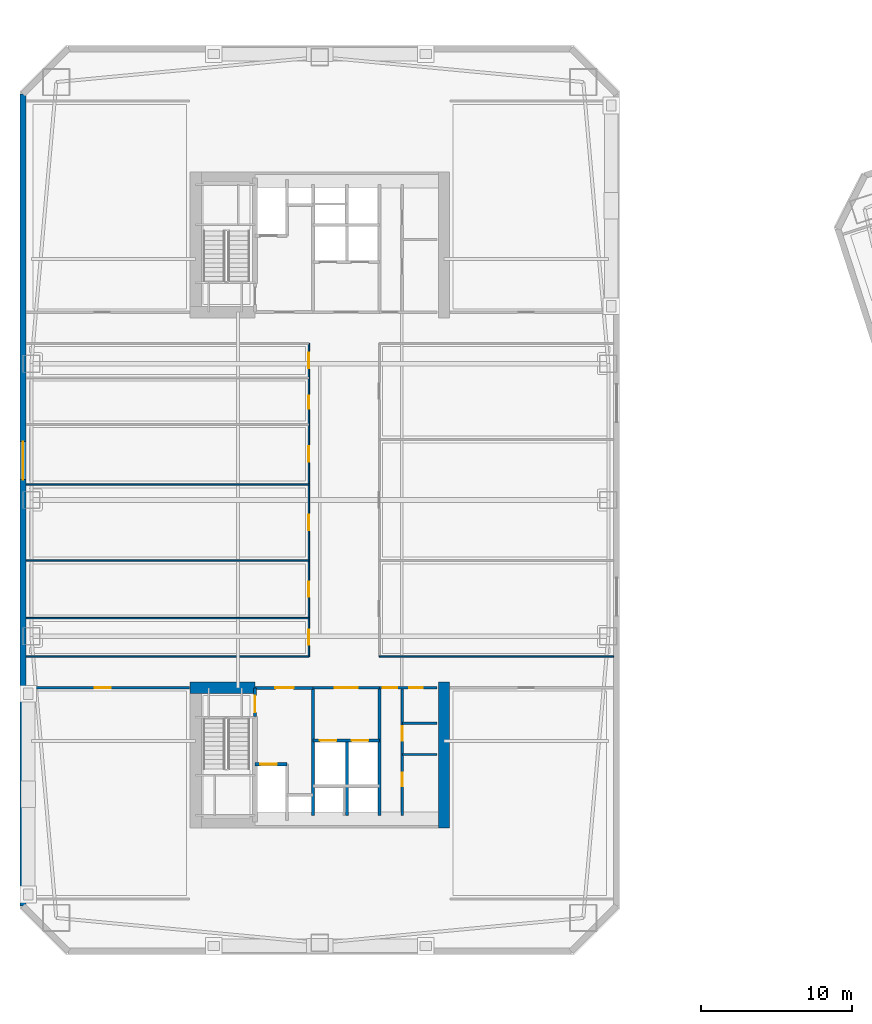
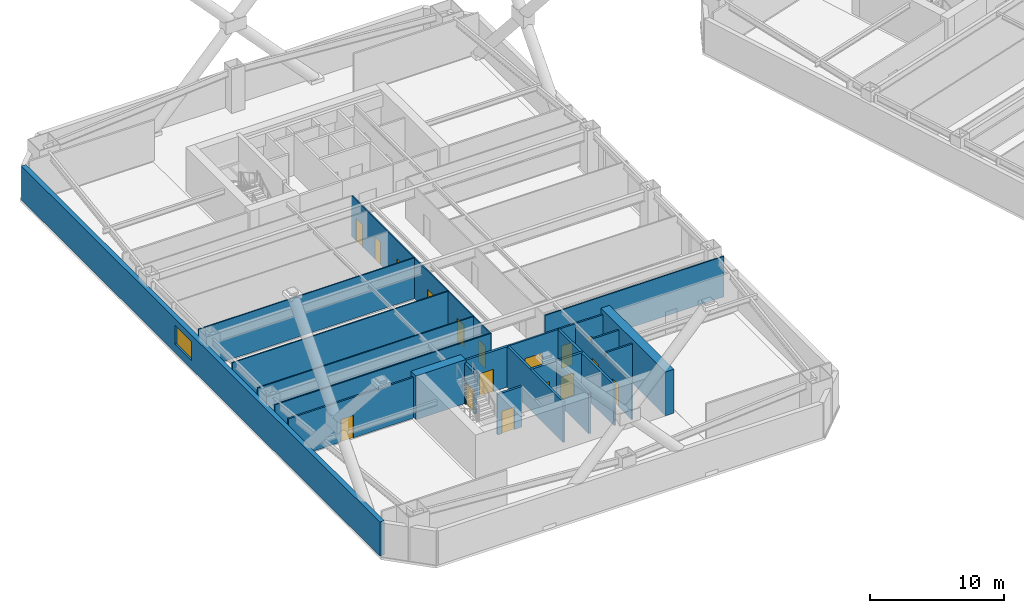
# One storey, part 4 of 18: 22 walls, 17 doors, 1 window, 18 openings.
"""IFC4 building model written with IfcOpenShell, lengths in metres."""

from ifc_helpers import new_model, si_unit, direction, frame, frame_2d, origin, place, context, subcontext, project, spatial, rectangle, extrude, material, layer, layer_set, type_object, element, fill, save


model = new_model("IFC4")

# Units and contexts
model_context = context("Model", 3, precision=1e-05, world=origin(), true_north=direction((0.0, 1.0)))
body_context = subcontext(model_context, "Body", "Model", "MODEL_VIEW")
ifc_project = project(units=[si_unit("LENGTHUNIT", "METRE"), si_unit("AREAUNIT", "SQUARE_METRE"), si_unit("VOLUMEUNIT", "CUBIC_METRE"), si_unit("PLANEANGLEUNIT", "RADIAN"), si_unit("MASSUNIT", "GRAM", prefix="KILO")], contexts=[model_context])

# Site, building, storey
site_placement = place(None, origin())
site = spatial("IfcSite", under=ifc_project, at=site_placement, CompositionType="ELEMENT")
building_placement = place(site_placement, origin())
building = spatial("IfcBuilding", under=site, at=building_placement, Name="Qiaolan Cultural Towers", CompositionType="ELEMENT")
storey_placement = place(building_placement, frame((0.0, 0.0, 42.0)))
storey = spatial("IfcBuildingStorey", under=building, at=storey_placement, Name="L09", CompositionType="ELEMENT", Elevation=42.0)

# Walls
ifc_material_1 = material(Name="Concrete C60", Category="concrete")
ifc_layer_1 = layer(ifc_material_1, 0.75)
ifc_layer_set_1 = layer_set([ifc_layer_1], Name="Concrete C60")
wall_type_1 = type_object("IfcWallType", Name="WL-CORE-750", PredefinedType="SHEAR", material=ifc_layer_set_1)
wall_1_placement = place(storey_placement, frame((38.199951171875, 21.97509765625, 0.0), z_axis=(0.0, 0.0, 1.0), x_axis=(0.0, -1.0, 0.0)))
element("IfcWall", 1, at=wall_1_placement, inside=storey, type_object=wall_type_1, Name="L09 T1-CS East Core Shear Wall", PredefinedType="SHEAR", context=body_context, shape_type="SweptSolid", body=[
    extrude(rectangle(XDim=9.630126953125, YDim=0.75, at=frame_2d((4.81494140625, 0.0))), origin(), (0.0, 0.0, 1.0), 4.0),
])
wall_2_placement = place(storey_placement, frame((21.425048828125, 21.60009765625, 0.0), z_axis=(0.0, 0.0, 1.0), x_axis=(1.0, 0.0, 0.0)))
element("IfcWall", 2, at=wall_2_placement, inside=storey, type_object=wall_type_1, Name="L09 T1-CS Stair Front Shear Wall", PredefinedType="SHEAR", context=body_context, shape_type="SweptSolid", body=[
    extrude(rectangle(XDim=4.294921875, YDim=0.75, at=frame_2d((2.1474609375, 0.0))), origin(), (0.0, 0.0, 1.0), 4.0),
])

# Wall, opening, window
ifc_material_2 = material(Name="Precast Concrete C50 Honed Stone Pier", Category="masonry")
ifc_layer_2 = layer(ifc_material_2, 0.39990234375)
ifc_layer_set_2 = layer_set([ifc_layer_2], Name="Precast Concrete C50 Honed Stone Pier")
wall_type_2 = type_object("IfcWallType", Name="WL-EXT-PIER-400", PredefinedType="SOLIDWALL", material=ifc_layer_set_2)
wall_3_placement = place(storey_placement, frame((10.39990234375, 7.199951171875, 0.0), z_axis=(0.0, 0.0, 1.0), x_axis=(0.0, 1.0, 0.0)))
wall_3 = element("IfcWall", 3, at=wall_3_placement, inside=storey, type_object=wall_type_2, Name="L09 West Tower Precast Pier Facade Wall F1", PredefinedType="SOLIDWALL", context=body_context, shape_type="SweptSolid", body=[
    extrude(rectangle(XDim=53.60009765625, YDim=0.39990234375, at=frame_2d((26.800048828125, 0.0))), origin(), (0.0, 0.0, 1.0), 3.10009765625),
])
opening_1_placement = place(wall_3_placement, frame((28.14990234375, 0.0, 0.75)))
opening_1 = element("IfcOpeningElement", 4, at=opening_1_placement, cuts=wall_3, Name="Opening W-01", PredefinedType="OPENING", context=body_context, shape_type="SweptSolid", body=[
    extrude(rectangle(XDim=2.5, YDim=1.75, at=frame_2d((1.25, 0.875))), frame((0.0, 0.2099609375, 0.0), z_axis=(0.0, -1.0, 0.0), x_axis=(1.0, 0.0, 0.0)), (0.0, 0.0, 1.0), 0.419921875),
])
ifc_material_3 = material(Name="Thermally Broken Aluminium Triple Low-E Glazing", Category="aluminium")
window_type = type_object("IfcWindowType", Name="WN-CHIC-2500", PartitioningType="SINGLE_PANEL", PredefinedType="WINDOW", material=ifc_material_3)
window_placement = place(opening_1_placement, origin())
window = element("IfcWindow", 5, at=window_placement, inside=storey, type_object=window_type, Name="L09 T1 W Chicago Bay Window 1", OverallHeight=1.75, OverallWidth=2.5, PartitioningType="TRIPLE_PANEL_VERTICAL", PredefinedType="WINDOW", context=body_context, shape_type="SweptSolid", body=[
    extrude(rectangle(XDim=2.5, YDim=1.75, at=frame_2d((1.25, 0.875))), frame((0.0, 0.030029296875, 0.0), z_axis=(0.0, -1.0, 0.0), x_axis=(1.0, 0.0, 0.0)), (0.0, 0.0, 1.0), 0.06005859375),
])
fill(opening_1, window)

# Wall, opening, door
ifc_material_4 = material(Name="Concrete C35 Fire Wall", Category="concrete")
ifc_layer_3 = layer(ifc_material_4, 0.199951171875)
ifc_layer_set_3 = layer_set([ifc_layer_3], Name="Concrete C35 Fire Wall")
wall_type_3 = type_object("IfcWallType", Name="WL-FIRE-200", PredefinedType="PARTITIONING", material=ifc_layer_set_3)
wall_4_placement = place(storey_placement, frame((25.719970703125, 21.60009765625, 0.0), z_axis=(0.0, 0.0, 1.0), x_axis=(0.0, -1.0, 0.0)))
wall_4 = element("IfcWall", 6, at=wall_4_placement, inside=storey, type_object=wall_type_3, Name="L09 T1-CS Smokeproof Stair Entry Wall", PredefinedType="PARTITIONING", context=body_context, shape_type="SweptSolid", body=[
    extrude(rectangle(XDim=1.900146484375, YDim=0.199951171875, at=frame_2d((0.9501953125, 0.0))), origin(), (0.0, 0.0, 1.0), 3.705078125),
])
opening_2_placement = place(wall_4_placement, frame((0.52001953125, 0.0, 0.0)))
opening_2 = element("IfcOpeningElement", 7, at=opening_2_placement, cuts=wall_4, Name="Opening FD-04", PredefinedType="OPENING", context=body_context, shape_type="SweptSolid", body=[
    extrude(rectangle(XDim=1.10009765625, YDim=2.050048828125, at=frame_2d((0.550048828125, 1.02490234375))), frame((0.0, 0.10986328125, 0.0), z_axis=(0.0, -1.0, 0.0), x_axis=(1.0, 0.0, 0.0)), (0.0, 0.0, 1.0), 0.219970703125),
])
ifc_material_5 = material(Name="Galvanized Steel Command Fire Door", Category="steel")
door_type_1 = type_object("IfcDoorType", Name="DR-FD90-1100", OperationType="NOTDEFINED", PredefinedType="DOOR", material=ifc_material_5)
door_1_placement = place(opening_2_placement, origin())
door_1 = element("IfcDoor", 8, at=door_1_placement, inside=storey, type_object=door_type_1, Name="L09 ST-W1 Smokeproof Stair Fire Door", OperationType="SINGLE_SWING_LEFT", OverallHeight=2.050048828125, OverallWidth=1.10009765625, PredefinedType="DOOR", context=body_context, shape_type="SweptSolid", body=[
    extrude(rectangle(XDim=1.10009765625, YDim=2.050048828125, at=frame_2d((0.550048828125, 1.02490234375))), frame((0.0, 0.02490234375, 0.0), z_axis=(0.0, -1.0, 0.0), x_axis=(1.0, 0.0, 0.0)), (0.0, 0.0, 1.0), 0.050048828125),
])
fill(opening_2, door_1)

# Wall
wall_5_placement = place(storey_placement, frame((29.550048828125, 21.60009765625, 0.0), z_axis=(0.0, 0.0, 1.0), x_axis=(0.0, -1.0, 0.0)))
element("IfcWall", 9, at=wall_5_placement, inside=storey, type_object=wall_type_3, Name="L09 T1-CS Firefighting Zone Wall", PredefinedType="PARTITIONING", context=body_context, shape_type="SweptSolid", body=[
    extrude(rectangle(XDim=8.43017578125, YDim=0.199951171875, at=frame_2d((4.215087890625, 0.0))), origin(), (0.0, 0.0, 1.0), 3.705078125),
])

# Wall, opening, door
wall_6_placement = place(storey_placement, frame((25.719970703125, 21.60009765625, 0.0), z_axis=(0.0, 0.0, 1.0), x_axis=(1.0, 0.0, 0.0)))
wall_6 = element("IfcWall", 10, at=wall_6_placement, inside=storey, type_object=wall_type_3, Name="L09 T1-CS Firefighting Lobby Front Wall", PredefinedType="PARTITIONING", context=body_context, shape_type="SweptSolid", body=[
    extrude(rectangle(XDim=3.830078125, YDim=0.199951171875, at=frame_2d((1.9150390625, 0.0))), origin(), (0.0, 0.0, 1.0), 3.705078125),
])
opening_3_placement = place(wall_6_placement, frame((1.35009765625, 0.0, 0.0)))
opening_3 = element("IfcOpeningElement", 11, at=opening_3_placement, cuts=wall_6, Name="Opening FD-03", PredefinedType="OPENING", context=body_context, shape_type="SweptSolid", body=[
    extrude(rectangle(XDim=1.199951171875, YDim=2.050048828125, at=frame_2d((0.60009765625, 1.02490234375))), frame((0.0, 0.10986328125, 0.0), z_axis=(0.0, -1.0, 0.0), x_axis=(1.0, 0.0, 0.0)), (0.0, 0.0, 1.0), 0.219970703125),
])
ifc_material_6 = material(Name="Galvanized Steel Smokeproof Lobby Fire Door", Category="steel")
door_type_2 = type_object("IfcDoorType", Name="DR-FD90-1200", OperationType="NOTDEFINED", PredefinedType="DOOR", material=ifc_material_6)
door_2_placement = place(opening_3_placement, origin())
door_2 = element("IfcDoor", 12, at=door_2_placement, inside=storey, type_object=door_type_2, Name="L09 FFL-W1 Firefighting Lobby Fire Door", OperationType="SINGLE_SWING_LEFT", OverallHeight=2.050048828125, OverallWidth=1.199951171875, PredefinedType="DOOR", context=body_context, shape_type="SweptSolid", body=[
    extrude(rectangle(XDim=1.199951171875, YDim=2.050048828125, at=frame_2d((0.60009765625, 1.02490234375))), frame((0.0, 0.02490234375, 0.0), z_axis=(0.0, -1.0, 0.0), x_axis=(1.0, 0.0, 0.0)), (0.0, 0.0, 1.0), 0.050048828125),
])
fill(opening_3, door_2)

wall_7_placement = place(storey_placement, frame((25.719970703125, 16.550048828125, 0.0), z_axis=(0.0, 0.0, 1.0), x_axis=(1.0, 0.0, 0.0)))
wall_7 = element("IfcWall", 13, at=wall_7_placement, inside=storey, type_object=wall_type_3, Name="L09 T1-CS Firefighting Shaft Front Wall", PredefinedType="PARTITIONING", context=body_context, shape_type="SweptSolid", body=[
    extrude(rectangle(XDim=2.10009765625, YDim=0.199951171875, at=frame_2d((1.050048828125, 0.0))), origin(), (0.0, 0.0, 1.0), 3.705078125),
])
opening_4_placement = place(wall_7_placement, frame((0.35009765625, 0.0, 0.0)))
opening_4 = element("IfcOpeningElement", 14, at=opening_4_placement, cuts=wall_7, Name="Opening LD-01", PredefinedType="OPENING", context=body_context, shape_type="SweptSolid", body=[
    extrude(rectangle(XDim=1.10009765625, YDim=2.050048828125, at=frame_2d((0.550048828125, 1.02490234375))), frame((0.0, 0.10986328125, 0.0), z_axis=(0.0, -1.0, 0.0), x_axis=(1.0, 0.0, 0.0)), (0.0, 0.0, 1.0), 0.219970703125),
])
ifc_material_7 = material(Name="Brushed Stainless Steel S30408 Centre-Parting Lift Landing Door", Category="steel")
door_type_3 = type_object("IfcDoorType", Name="DR-LIFT-1100", OperationType="NOTDEFINED", PredefinedType="DOOR", material=ifc_material_7)
door_3_placement = place(opening_4_placement, origin())
door_3 = element("IfcDoor", 15, at=door_3_placement, inside=storey, type_object=door_type_3, Name="L09 FFL-W1 Firefighting Lift Landing Door", OperationType="DOUBLE_DOOR_SLIDING", OverallHeight=2.050048828125, OverallWidth=1.10009765625, PredefinedType="DOOR", context=body_context, shape_type="SweptSolid", body=[
    extrude(rectangle(XDim=1.10009765625, YDim=2.050048828125, at=frame_2d((0.550048828125, 1.02490234375))), frame((0.0, 0.02490234375, 0.0), z_axis=(0.0, -1.0, 0.0), x_axis=(1.0, 0.0, 0.0)), (0.0, 0.0, 1.0), 0.050048828125),
])
fill(opening_4, door_3)

# Wall
wall_8_placement = place(storey_placement, frame((33.949951171875, 21.60009765625, 0.0), z_axis=(0.0, 0.0, 1.0), x_axis=(0.0, -1.0, 0.0)))
element("IfcWall", 16, at=wall_8_placement, inside=storey, type_object=wall_type_3, Name="L09 T1-CS Lift Core East Wall", PredefinedType="PARTITIONING", context=body_context, shape_type="SweptSolid", body=[
    extrude(rectangle(XDim=8.43017578125, YDim=0.199951171875, at=frame_2d((4.215087890625, 0.0))), origin(), (0.0, 0.0, 1.0), 3.705078125),
])

# Wall, openings, doors
wall_9_placement = place(storey_placement, frame((29.550048828125, 18.1201171875, 0.0), z_axis=(0.0, 0.0, 1.0), x_axis=(1.0, 0.0, 0.0)))
wall_9 = element("IfcWall", 17, at=wall_9_placement, inside=storey, type_object=wall_type_3, Name="L09 T1-CS Passenger Lift Shaft Front Wall", PredefinedType="PARTITIONING", context=body_context, shape_type="SweptSolid", body=[
    extrude(rectangle(XDim=4.39990234375, YDim=0.199951171875, at=frame_2d((2.199951171875, 0.0))), origin(), (0.0, 0.0, 1.0), 3.705078125),
])
opening_5_placement = place(wall_9_placement, frame((0.449951171875, 0.0, 0.0)))
opening_5 = element("IfcOpeningElement", 18, at=opening_5_placement, cuts=wall_9, Name="Opening LD-01", PredefinedType="OPENING", context=body_context, shape_type="SweptSolid", body=[
    extrude(rectangle(XDim=1.10009765625, YDim=2.050048828125, at=frame_2d((0.550048828125, 1.02490234375))), frame((0.0, 0.10986328125, 0.0), z_axis=(0.0, -1.0, 0.0), x_axis=(1.0, 0.0, 0.0)), (0.0, 0.0, 1.0), 0.219970703125),
])
opening_6_placement = place(wall_9_placement, frame((2.550048828125, 0.0, 0.0)))
opening_6 = element("IfcOpeningElement", 19, at=opening_6_placement, cuts=wall_9, Name="Opening LD-01", PredefinedType="OPENING", context=body_context, shape_type="SweptSolid", body=[
    extrude(rectangle(XDim=1.10009765625, YDim=2.050048828125, at=frame_2d((0.550048828125, 1.02490234375))), frame((0.0, 0.10986328125, 0.0), z_axis=(0.0, -1.0, 0.0), x_axis=(1.0, 0.0, 0.0)), (0.0, 0.0, 1.0), 0.219970703125),
])
door_4_placement = place(opening_5_placement, origin())
door_4 = element("IfcDoor", 20, at=door_4_placement, inside=storey, type_object=door_type_3, Name="L09 Passenger Lift 1 Landing Door", OperationType="DOUBLE_DOOR_SLIDING", OverallHeight=2.050048828125, OverallWidth=1.10009765625, PredefinedType="DOOR", context=body_context, shape_type="SweptSolid", body=[
    extrude(rectangle(XDim=1.10009765625, YDim=2.050048828125, at=frame_2d((0.550048828125, 1.02490234375))), frame((0.0, 0.02490234375, 0.0), z_axis=(0.0, -1.0, 0.0), x_axis=(1.0, 0.0, 0.0)), (0.0, 0.0, 1.0), 0.050048828125),
])
fill(opening_5, door_4)
door_5_placement = place(opening_6_placement, origin())
door_5 = element("IfcDoor", 21, at=door_5_placement, inside=storey, type_object=door_type_3, Name="L09 Passenger Lift 2 Landing Door", OperationType="DOUBLE_DOOR_SLIDING", OverallHeight=2.050048828125, OverallWidth=1.10009765625, PredefinedType="DOOR", context=body_context, shape_type="SweptSolid", body=[
    extrude(rectangle(XDim=1.10009765625, YDim=2.050048828125, at=frame_2d((0.550048828125, 1.02490234375))), frame((0.0, 0.02490234375, 0.0), z_axis=(0.0, -1.0, 0.0), x_axis=(1.0, 0.0, 0.0)), (0.0, 0.0, 1.0), 0.050048828125),
])
fill(opening_6, door_5)

# Walls
wall_10_placement = place(storey_placement, frame((31.780029296875, 18.1201171875, 0.0), z_axis=(0.0, 0.0, 1.0), x_axis=(0.0, -1.0, 0.0)))
element("IfcWall", 22, at=wall_10_placement, inside=storey, type_object=wall_type_3, Name="L09 T1-CS Lift Shaft Divider Wall", PredefinedType="PARTITIONING", context=body_context, shape_type="SweptSolid", body=[
    extrude(rectangle(XDim=4.9501953125, YDim=0.199951171875, at=frame_2d((2.47509765625, 0.0))), origin(), (0.0, 0.0, 1.0), 3.705078125),
])
ifc_material_8 = material(Name="Acoustic Double-Glazed Partition Frame", Category="glass")
ifc_layer_4 = layer(ifc_material_8, 0.10009765625)
ifc_layer_set_4 = layer_set([ifc_layer_4], Name="Acoustic Double-Glazed Partition Frame")
wall_type_4 = type_object("IfcWallType", Name="WL-GLAZED-100", PredefinedType="MOVABLE", material=ifc_layer_set_4)
wall_11_placement = place(storey_placement, frame((10.60009765625, 23.64990234375, 0.0), z_axis=(0.0, 0.0, 1.0), x_axis=(1.0, 0.0, 0.0)))
element("IfcWall", 23, at=wall_11_placement, inside=storey, type_object=wall_type_4, Name="L09 T1 South Corridor Left Wall", PredefinedType="MOVABLE", context=body_context, shape_type="SweptSolid", body=[
    extrude(rectangle(XDim=18.6748046875, YDim=0.10009765625, at=frame_2d((9.33740234375, 0.0))), origin(), (0.0, 0.0, 1.0), 3.705078125),
])
wall_12_placement = place(storey_placement, frame((33.925048828125, 23.64990234375, 0.0), z_axis=(0.0, 0.0, 1.0), x_axis=(1.0, 0.0, 0.0)))
element("IfcWall", 24, at=wall_12_placement, inside=storey, type_object=wall_type_4, Name="L09 T1 South Corridor Right Wall", PredefinedType="MOVABLE", context=body_context, shape_type="SweptSolid", body=[
    extrude(rectangle(XDim=15.474853515625, YDim=0.10009765625, at=frame_2d((7.7373046875, 0.0))), origin(), (0.0, 0.0, 1.0), 3.705078125),
])

# Wall, openings, doors
wall_13_placement = place(storey_placement, frame((29.27490234375, 23.64990234375, 0.0), z_axis=(0.0, 0.0, 1.0), x_axis=(0.0, 1.0, 0.0)))
wall_13 = element("IfcWall", 25, at=wall_13_placement, inside=storey, type_object=wall_type_4, Name="L09 T1 West Spine Wall", PredefinedType="MOVABLE", context=body_context, shape_type="SweptSolid", body=[
    extrude(rectangle(XDim=20.7001953125, YDim=0.10009765625, at=frame_2d((10.35009765625, 0.0))), origin(), (0.0, 0.0, 1.0), 3.705078125),
])
opening_7_placement = place(wall_13_placement, frame((0.77490234375, 0.0, 0.0)))
opening_7 = element("IfcOpeningElement", 26, at=opening_7_placement, cuts=wall_13, Name="Opening ID-04", PredefinedType="OPENING", context=body_context, shape_type="SweptSolid", body=[
    extrude(rectangle(XDim=1.0, YDim=2.050048828125, at=frame_2d((0.5, 1.02490234375))), frame((0.0, 0.06005859375, 0.0), z_axis=(0.0, -1.0, 0.0), x_axis=(1.0, 0.0, 0.0)), (0.0, 0.0, 1.0), 0.1201171875),
])
opening_8_placement = place(wall_13_placement, frame((3.949951171875, 0.0, 0.0)))
opening_8 = element("IfcOpeningElement", 27, at=opening_8_placement, cuts=wall_13, Name="Opening ID-04", PredefinedType="OPENING", context=body_context, shape_type="SweptSolid", body=[
    extrude(rectangle(XDim=1.0, YDim=2.050048828125, at=frame_2d((0.5, 1.02490234375))), frame((0.0, 0.06005859375, 0.0), z_axis=(0.0, -1.0, 0.0), x_axis=(1.0, 0.0, 0.0)), (0.0, 0.0, 1.0), 0.1201171875),
])
opening_9_placement = place(wall_13_placement, frame((8.364013671875, 0.0, 0.0)))
opening_9 = element("IfcOpeningElement", 28, at=opening_9_placement, cuts=wall_13, Name="Opening ID-04", PredefinedType="OPENING", context=body_context, shape_type="SweptSolid", body=[
    extrude(rectangle(XDim=1.0, YDim=2.050048828125, at=frame_2d((0.5, 1.02490234375))), frame((0.0, 0.06005859375, 0.0), z_axis=(0.0, -1.0, 0.0), x_axis=(1.0, 0.0, 0.0)), (0.0, 0.0, 1.0), 0.1201171875),
])
opening_10_placement = place(wall_13_placement, frame((12.864013671875, 0.0, 0.0)))
opening_10 = element("IfcOpeningElement", 29, at=opening_10_placement, cuts=wall_13, Name="Opening ID-07", PredefinedType="OPENING", context=body_context, shape_type="SweptSolid", body=[
    extrude(rectangle(XDim=1.050048828125, YDim=2.050048828125, at=frame_2d((0.52490234375, 1.02490234375))), frame((0.0, 0.06005859375, 0.0), z_axis=(0.0, -1.0, 0.0), x_axis=(1.0, 0.0, 0.0)), (0.0, 0.0, 1.0), 0.1201171875),
])
opening_11_placement = place(wall_13_placement, frame((16.383056640625, 0.0, 0.0)))
opening_11 = element("IfcOpeningElement", 30, at=opening_11_placement, cuts=wall_13, Name="Opening ID-09", PredefinedType="OPENING", context=body_context, shape_type="SweptSolid", body=[
    extrude(rectangle(XDim=0.85009765625, YDim=2.050048828125, at=frame_2d((0.425048828125, 1.02490234375))), frame((0.0, 0.06005859375, 0.0), z_axis=(0.0, -1.0, 0.0), x_axis=(1.0, 0.0, 0.0)), (0.0, 0.0, 1.0), 0.1201171875),
])
opening_12_placement = place(wall_13_placement, frame((19.05810546875, 0.0, 0.0)))
opening_12 = element("IfcOpeningElement", 31, at=opening_12_placement, cuts=wall_13, Name="Opening ID-04", PredefinedType="OPENING", context=body_context, shape_type="SweptSolid", body=[
    extrude(rectangle(XDim=1.0, YDim=2.050048828125, at=frame_2d((0.5, 1.02490234375))), frame((0.0, 0.06005859375, 0.0), z_axis=(0.0, -1.0, 0.0), x_axis=(1.0, 0.0, 0.0)), (0.0, 0.0, 1.0), 0.1201171875),
])
ifc_material_9 = material(Name="Oak Veneer Acoustic Office Door", Category="timber")
door_type_4 = type_object("IfcDoorType", Name="DR-INT-1000", OperationType="NOTDEFINED", PredefinedType="DOOR", material=ifc_material_9)
door_6_placement = place(opening_7_placement, origin())
door_6 = element("IfcDoor", 32, at=door_6_placement, inside=storey, type_object=door_type_4, Name="L09 T1 Project Briefing Room Door", OperationType="SINGLE_SWING_LEFT", OverallHeight=2.050048828125, OverallWidth=1.0, PredefinedType="DOOR", context=body_context, shape_type="SweptSolid", body=[
    extrude(rectangle(XDim=1.0, YDim=2.050048828125, at=frame_2d((0.5, 1.02490234375))), frame((0.0, 0.02490234375, 0.0), z_axis=(0.0, -1.0, 0.0), x_axis=(1.0, 0.0, 0.0)), (0.0, 0.0, 1.0), 0.050048828125),
])
fill(opening_7, door_6)
door_7_placement = place(opening_8_placement, origin())
door_7 = element("IfcDoor", 33, at=door_7_placement, inside=storey, type_object=door_type_4, Name="L09 T1 Curatorial Research Office Door", OperationType="SINGLE_SWING_RIGHT", OverallHeight=2.050048828125, OverallWidth=1.0, PredefinedType="DOOR", context=body_context, shape_type="SweptSolid", body=[
    extrude(rectangle(XDim=1.0, YDim=2.050048828125, at=frame_2d((0.5, 1.02490234375))), frame((0.0, 0.02490234375, 0.0), z_axis=(0.0, -1.0, 0.0), x_axis=(1.0, 0.0, 0.0)), (0.0, 0.0, 1.0), 0.050048828125),
])
fill(opening_8, door_7)
door_8_placement = place(opening_9_placement, origin())
door_8 = element("IfcDoor", 34, at=door_8_placement, inside=storey, type_object=door_type_4, Name="L09 T1 Curatorial Research Office Door", OperationType="SINGLE_SWING_LEFT", OverallHeight=2.050048828125, OverallWidth=1.0, PredefinedType="DOOR", context=body_context, shape_type="SweptSolid", body=[
    extrude(rectangle(XDim=1.0, YDim=2.050048828125, at=frame_2d((0.5, 1.02490234375))), frame((0.0, 0.02490234375, 0.0), z_axis=(0.0, -1.0, 0.0), x_axis=(1.0, 0.0, 0.0)), (0.0, 0.0, 1.0), 0.050048828125),
])
fill(opening_9, door_8)
door_9_placement = place(opening_12_placement, origin())
door_9 = element("IfcDoor", 35, at=door_9_placement, inside=storey, type_object=door_type_4, Name="L09 T1 Staff Lounge Door", OperationType="SINGLE_SWING_RIGHT", OverallHeight=2.050048828125, OverallWidth=1.0, PredefinedType="DOOR", context=body_context, shape_type="SweptSolid", body=[
    extrude(rectangle(XDim=1.0, YDim=2.050048828125, at=frame_2d((0.5, 1.02490234375))), frame((0.0, 0.02490234375, 0.0), z_axis=(0.0, -1.0, 0.0), x_axis=(1.0, 0.0, 0.0)), (0.0, 0.0, 1.0), 0.050048828125),
])
fill(opening_12, door_9)
ifc_material_10 = material(Name="Oak Veneer Consultation Door", Category="timber")
door_type_5 = type_object("IfcDoorType", Name="DR-INT-1050", OperationType="NOTDEFINED", PredefinedType="DOOR", material=ifc_material_10)
door_10_placement = place(opening_10_placement, origin())
door_10 = element("IfcDoor", 36, at=door_10_placement, inside=storey, type_object=door_type_5, Name="L09 T1 Wellness Consultation Room Door", OperationType="SINGLE_SWING_RIGHT", OverallHeight=2.050048828125, OverallWidth=1.050048828125, PredefinedType="DOOR", context=body_context, shape_type="SweptSolid", body=[
    extrude(rectangle(XDim=1.050048828125, YDim=2.050048828125, at=frame_2d((0.52490234375, 1.02490234375))), frame((0.0, 0.02490234375, 0.0), z_axis=(0.0, -1.0, 0.0), x_axis=(1.0, 0.0, 0.0)), (0.0, 0.0, 1.0), 0.050048828125),
])
fill(opening_10, door_10)
ifc_material_11 = material(Name="Moisture-Resistant Laminate Utility Door", Category="timber")
door_type_6 = type_object("IfcDoorType", Name="DR-INT-850", OperationType="NOTDEFINED", PredefinedType="DOOR", material=ifc_material_11)
door_11_placement = place(opening_11_placement, origin())
door_11 = element("IfcDoor", 37, at=door_11_placement, inside=storey, type_object=door_type_6, Name="L09 T1 Wellness Consultation Room Door", OperationType="SINGLE_SWING_LEFT", OverallHeight=2.050048828125, OverallWidth=0.85009765625, PredefinedType="DOOR", context=body_context, shape_type="SweptSolid", body=[
    extrude(rectangle(XDim=0.85009765625, YDim=2.050048828125, at=frame_2d((0.425048828125, 1.02490234375))), frame((0.0, 0.02490234375, 0.0), z_axis=(0.0, -1.0, 0.0), x_axis=(1.0, 0.0, 0.0)), (0.0, 0.0, 1.0), 0.050048828125),
])
fill(opening_11, door_11)

# Walls
for number, where, z_axis, x_axis, name in (
    (38, (10.60009765625, 26.199951171875, 0.0), (0.0, 0.0, 1.0), (1.0, 0.0, 0.0), "L09 T1 West Partition 1"),
    (39, (10.60009765625, 30.0, 0.0), (0.0, 0.0, 1.0), (1.0, 0.0, 0.0), "L09 T1 West Partition 2"),
    (40, (10.60009765625, 35.028076171875, 0.0), (0.0, 0.0, 1.0), (1.0, 0.0, 0.0), "L09 T1 West Partition 3"),
):
    element("IfcWall", number, at=place(storey_placement, frame(where, z_axis=z_axis, x_axis=x_axis)), inside=storey, type_object=wall_type_4, Name=name, PredefinedType="MOVABLE", context=body_context, shape_type="SweptSolid", body=[
        extrude(rectangle(XDim=18.6748046875, YDim=0.10009765625, at=frame_2d((9.33740234375, 0.0))), origin(), (0.0, 0.0, 1.0), 3.705078125),
    ])

# Wall, opening, door
ifc_material_12 = material(Name="Autoclaved Aerated Concrete Block B06", Category="concrete")
ifc_layer_5 = layer(ifc_material_12, 0.14990234375)
ifc_layer_set_5 = layer_set([ifc_layer_5], Name="Autoclaved Aerated Concrete Block B06")
wall_type_5 = type_object("IfcWallType", Name="WL-PART-150", PredefinedType="PARTITIONING", material=ifc_layer_set_5)
wall_14_placement = place(storey_placement, frame((29.550048828125, 21.60009765625, 0.0), z_axis=(0.0, 0.0, 1.0), x_axis=(1.0, 0.0, 0.0)))
wall_14 = element("IfcWall", 41, at=wall_14_placement, inside=storey, type_object=wall_type_5, Name="L09 T1-CS Passenger Lift Lobby Front Wall", PredefinedType="PARTITIONING", context=body_context, shape_type="SweptSolid", body=[
    extrude(rectangle(XDim=4.39990234375, YDim=0.14990234375, at=frame_2d((2.199951171875, 0.0))), origin(), (0.0, 0.0, 1.0), 3.705078125),
])
opening_13_placement = place(wall_14_placement, frame((1.449951171875, 0.0, 0.0)))
opening_13 = element("IfcOpeningElement", 42, at=opening_13_placement, cuts=wall_14, Name="Opening FD-05", PredefinedType="OPENING", context=body_context, shape_type="SweptSolid", body=[
    extrude(rectangle(XDim=1.5, YDim=2.050048828125, at=frame_2d((0.75, 1.02490234375))), frame((0.0, 0.0849609375, 0.0), z_axis=(0.0, -1.0, 0.0), x_axis=(1.0, 0.0, 0.0)), (0.0, 0.0, 1.0), 0.169921875),
])
ifc_material_13 = material(Name="Painted Steel Lift Lobby Fire Door", Category="steel")
door_type_7 = type_object("IfcDoorType", Name="DR-FD60-1500", OperationType="NOTDEFINED", PredefinedType="DOOR", material=ifc_material_13)
door_12_placement = place(opening_13_placement, origin())
door_12 = element("IfcDoor", 43, at=door_12_placement, inside=storey, type_object=door_type_7, Name="L09 Passenger Lift Lobby Entrance", OperationType="SINGLE_SWING_LEFT", OverallHeight=2.050048828125, OverallWidth=1.5, PredefinedType="DOOR", context=body_context, shape_type="SweptSolid", body=[
    extrude(rectangle(XDim=1.5, YDim=2.050048828125, at=frame_2d((0.75, 1.02490234375))), frame((0.0, 0.02490234375, 0.0), z_axis=(0.0, -1.0, 0.0), x_axis=(1.0, 0.0, 0.0)), (0.0, 0.0, 1.0), 0.050048828125),
])
fill(opening_13, door_12)

# Wall, openings, doors
wall_15_placement = place(storey_placement, frame((33.949951171875, 21.60009765625, 0.0), z_axis=(0.0, 0.0, 1.0), x_axis=(1.0, 0.0, 0.0)))
wall_15 = element("IfcWall", 44, at=wall_15_placement, inside=storey, type_object=wall_type_5, Name="L09 T1-CS Sanitary Core Front Wall", PredefinedType="PARTITIONING", context=body_context, shape_type="SweptSolid", body=[
    extrude(rectangle(XDim=3.800048828125, YDim=0.14990234375, at=frame_2d((1.89990234375, 0.0))), origin(), (0.0, 0.0, 1.0), 3.705078125),
])
opening_14_placement = place(wall_15_placement, frame((0.219970703125, 0.0, 0.0)))
opening_14 = element("IfcOpeningElement", 45, at=opening_14_placement, cuts=wall_15, Name="Opening ID-05", PredefinedType="OPENING", context=body_context, shape_type="SweptSolid", body=[
    extrude(rectangle(XDim=0.949951171875, YDim=2.050048828125, at=frame_2d((0.47509765625, 1.02490234375))), frame((0.0, 0.0849609375, 0.0), z_axis=(0.0, -1.0, 0.0), x_axis=(1.0, 0.0, 0.0)), (0.0, 0.0, 1.0), 0.169921875),
])
opening_15_placement = place(wall_15_placement, frame((1.949951171875, 0.0, 0.0)))
opening_15 = element("IfcOpeningElement", 46, at=opening_15_placement, cuts=wall_15, Name="Opening ID-06", PredefinedType="OPENING", context=body_context, shape_type="SweptSolid", body=[
    extrude(rectangle(XDim=0.89990234375, YDim=2.050048828125, at=frame_2d((0.449951171875, 1.02490234375))), frame((0.0, 0.0849609375, 0.0), z_axis=(0.0, -1.0, 0.0), x_axis=(1.0, 0.0, 0.0)), (0.0, 0.0, 1.0), 0.169921875),
])
ifc_material_14 = material(Name="Fire-Rated Laminate Core Service Door", Category="timber")
door_type_8 = type_object("IfcDoorType", Name="DR-INT-900", OperationType="NOTDEFINED", PredefinedType="DOOR", material=ifc_material_14)
door_13_placement = place(opening_15_placement, origin())
door_13 = element("IfcDoor", 47, at=door_13_placement, inside=storey, type_object=door_type_8, Name="L09 Core Tea Pantry Door", OperationType="SINGLE_SWING_RIGHT", OverallHeight=2.050048828125, OverallWidth=0.89990234375, PredefinedType="DOOR", context=body_context, shape_type="SweptSolid", body=[
    extrude(rectangle(XDim=0.89990234375, YDim=2.050048828125, at=frame_2d((0.449951171875, 1.02490234375))), frame((0.0, 0.02490234375, 0.0), z_axis=(0.0, -1.0, 0.0), x_axis=(1.0, 0.0, 0.0)), (0.0, 0.0, 1.0), 0.050048828125),
])
fill(opening_15, door_13)
ifc_material_15 = material(Name="Fire-Rated Laminate Accessible Core Door", Category="timber")
door_type_9 = type_object("IfcDoorType", Name="DR-INT-950", OperationType="NOTDEFINED", PredefinedType="DOOR", material=ifc_material_15)
door_14_placement = place(opening_14_placement, origin())
door_14 = element("IfcDoor", 48, at=door_14_placement, inside=storey, type_object=door_type_9, Name="L09 Sanitary Passage Door", OperationType="SINGLE_SWING_LEFT", OverallHeight=2.050048828125, OverallWidth=0.949951171875, PredefinedType="DOOR", context=body_context, shape_type="SweptSolid", body=[
    extrude(rectangle(XDim=0.949951171875, YDim=2.050048828125, at=frame_2d((0.47509765625, 1.02490234375))), frame((0.0, 0.02490234375, 0.0), z_axis=(0.0, -1.0, 0.0), x_axis=(1.0, 0.0, 0.0)), (0.0, 0.0, 1.0), 0.050048828125),
])
fill(opening_14, door_14)

wall_16_placement = place(storey_placement, frame((35.449951171875, 21.60009765625, 0.0), z_axis=(0.0, 0.0, 1.0), x_axis=(0.0, -1.0, 0.0)))
wall_16 = element("IfcWall", 49, at=wall_16_placement, inside=storey, type_object=wall_type_5, Name="L09 T1-CS Sanitary Corridor Wall", PredefinedType="PARTITIONING", context=body_context, shape_type="SweptSolid", body=[
    extrude(rectangle(XDim=8.43017578125, YDim=0.14990234375, at=frame_2d((4.215087890625, 0.0))), origin(), (0.0, 0.0, 1.0), 3.344970703125),
])
opening_16_placement = place(wall_16_placement, frame((2.550048828125, 0.0, 0.0)))
opening_16 = element("IfcOpeningElement", 50, at=opening_16_placement, cuts=wall_16, Name="Opening ID-05", PredefinedType="OPENING", context=body_context, shape_type="SweptSolid", body=[
    extrude(rectangle(XDim=0.949951171875, YDim=2.050048828125, at=frame_2d((0.47509765625, 1.02490234375))), frame((0.0, 0.0849609375, 0.0), z_axis=(0.0, -1.0, 0.0), x_axis=(1.0, 0.0, 0.0)), (0.0, 0.0, 1.0), 0.169921875),
])
opening_17_placement = place(wall_16_placement, frame((5.60009765625, 0.0, 0.0)))
opening_17 = element("IfcOpeningElement", 51, at=opening_17_placement, cuts=wall_16, Name="Opening ID-06", PredefinedType="OPENING", context=body_context, shape_type="SweptSolid", body=[
    extrude(rectangle(XDim=0.89990234375, YDim=2.050048828125, at=frame_2d((0.449951171875, 1.02490234375))), frame((0.0, 0.0849609375, 0.0), z_axis=(0.0, -1.0, 0.0), x_axis=(1.0, 0.0, 0.0)), (0.0, 0.0, 1.0), 0.169921875),
])
door_15_placement = place(opening_17_placement, origin())
door_15 = element("IfcDoor", 52, at=door_15_placement, inside=storey, type_object=door_type_8, Name="L09 Staff Restroom Door", OperationType="SINGLE_SWING_RIGHT", OverallHeight=2.050048828125, OverallWidth=0.89990234375, PredefinedType="DOOR", context=body_context, shape_type="SweptSolid", body=[
    extrude(rectangle(XDim=0.89990234375, YDim=2.050048828125, at=frame_2d((0.449951171875, 1.02490234375))), frame((0.0, 0.02490234375, 0.0), z_axis=(0.0, -1.0, 0.0), x_axis=(1.0, 0.0, 0.0)), (0.0, 0.0, 1.0), 0.050048828125),
])
fill(opening_17, door_15)
door_16_placement = place(opening_16_placement, origin())
door_16 = element("IfcDoor", 53, at=door_16_placement, inside=storey, type_object=door_type_9, Name="L09 Accessible Washroom Door", OperationType="SINGLE_SWING_LEFT", OverallHeight=2.050048828125, OverallWidth=0.949951171875, PredefinedType="DOOR", context=body_context, shape_type="SweptSolid", body=[
    extrude(rectangle(XDim=0.949951171875, YDim=2.050048828125, at=frame_2d((0.47509765625, 1.02490234375))), frame((0.0, 0.02490234375, 0.0), z_axis=(0.0, -1.0, 0.0), x_axis=(1.0, 0.0, 0.0)), (0.0, 0.0, 1.0), 0.050048828125),
])
fill(opening_16, door_16)

# Walls
for number, where, z_axis, x_axis, name in (
    (54, (35.449951171875, 17.199951171875, 0.0), (0.0, 0.0, 1.0), (1.0, 0.0, 0.0), "L09 T1-CS Restroom Split Wall"),
    (55, (35.449951171875, 19.25, 0.0), (0.0, 0.0, 1.0), (1.0, 0.0, 0.0), "L09 T1-CS Core Pantry Wall"),
):
    element("IfcWall", number, at=place(storey_placement, frame(where, z_axis=z_axis, x_axis=x_axis)), inside=storey, type_object=wall_type_5, Name=name, PredefinedType="PARTITIONING", context=body_context, shape_type="SweptSolid", body=[
        extrude(rectangle(XDim=2.300048828125, YDim=0.14990234375, at=frame_2d((1.14990234375, 0.0))), origin(), (0.0, 0.0, 1.0), 3.705078125),
    ])

# Wall, opening, door
wall_17_placement = place(storey_placement, frame((10.60009765625, 21.60009765625, 0.0), z_axis=(0.0, 0.0, 1.0), x_axis=(1.0, 0.0, 0.0)))
wall_17 = element("IfcWall", 56, at=wall_17_placement, inside=storey, type_object=wall_type_5, Name="L09 T1 Flank Front FLK-SW", PredefinedType="PARTITIONING", context=body_context, shape_type="SweptSolid", body=[
    extrude(rectangle(XDim=10.7998046875, YDim=0.14990234375, at=frame_2d((5.39990234375, 0.0))), origin(), (0.0, 0.0, 1.0), 3.705078125),
])
opening_18_placement = place(wall_17_placement, frame((4.535888671875, 0.0, 0.0)))
opening_18 = element("IfcOpeningElement", 57, at=opening_18_placement, cuts=wall_17, Name="Opening ID-07", PredefinedType="OPENING", context=body_context, shape_type="SweptSolid", body=[
    extrude(rectangle(XDim=1.050048828125, YDim=2.050048828125, at=frame_2d((0.52490234375, 1.02490234375))), frame((0.0, 0.0849609375, 0.0), z_axis=(0.0, -1.0, 0.0), x_axis=(1.0, 0.0, 0.0)), (0.0, 0.0, 1.0), 0.169921875),
])
door_17_placement = place(opening_18_placement, origin())
door_17 = element("IfcDoor", 58, at=door_17_placement, inside=storey, type_object=door_type_5, Name="L09 T1 Corner Studio Door", OperationType="SINGLE_SWING_LEFT", OverallHeight=2.050048828125, OverallWidth=1.050048828125, PredefinedType="DOOR", context=body_context, shape_type="SweptSolid", body=[
    extrude(rectangle(XDim=1.050048828125, YDim=2.050048828125, at=frame_2d((0.52490234375, 1.02490234375))), frame((0.0, 0.02490234375, 0.0), z_axis=(0.0, -1.0, 0.0), x_axis=(1.0, 0.0, 0.0)), (0.0, 0.0, 1.0), 0.050048828125),
])
fill(opening_18, door_17)

save(model, "model.ifc")
